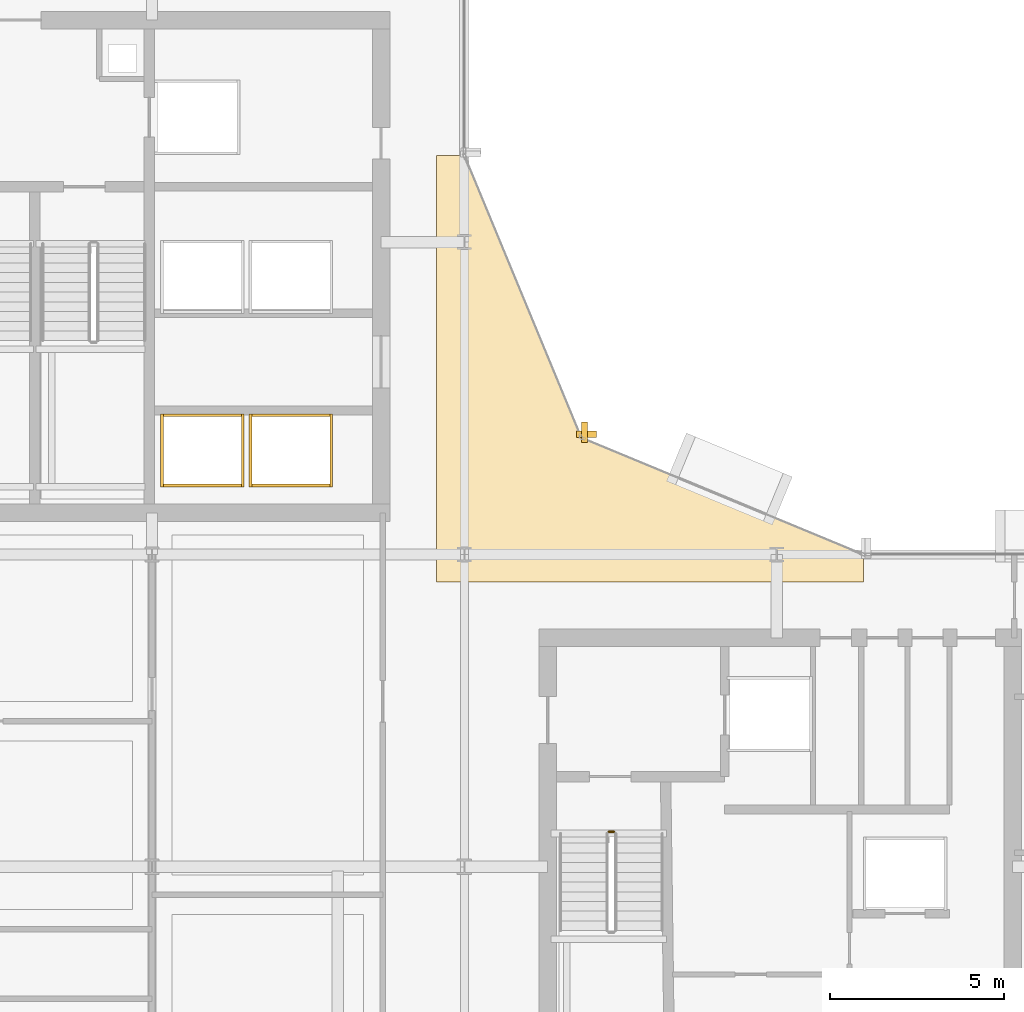
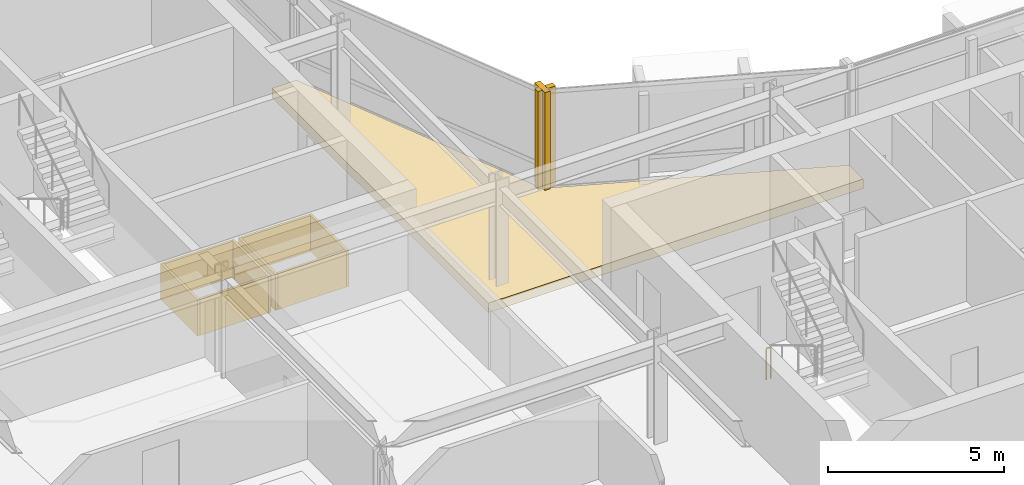
# One storey, part 27 of 29: 11 coverings, 1 railing.
"""IFC4 building model written with IfcOpenShell, lengths in metres."""

from ifc_helpers import new_model, si_unit, direction, frame, origin, origin_2d, place, context, subcontext, project, spatial, polyline, rectangle, circle, outline, extrude, material, layer, layer_set, type_object, element, save


model = new_model("IFC4")

# Units and contexts
model_context = context("Model", 3, precision=1e-05, world=origin(), true_north=direction((0.0, 1.0)))
body_context = subcontext(model_context, "Body", "Model", "MODEL_VIEW")
ifc_project = project(units=[si_unit("LENGTHUNIT", "METRE"), si_unit("AREAUNIT", "SQUARE_METRE"), si_unit("VOLUMEUNIT", "CUBIC_METRE"), si_unit("PLANEANGLEUNIT", "RADIAN"), si_unit("MASSUNIT", "GRAM", prefix="KILO")], contexts=[model_context])

# Site, building, storey
site_placement = place(None, origin())
site = spatial("IfcSite", under=ifc_project, at=site_placement, CompositionType="ELEMENT")
building_placement = place(site_placement, origin())
building = spatial("IfcBuilding", under=site, at=building_placement, Name="Solvaryn Broadcast Tower", CompositionType="ELEMENT")
storey_placement = place(building_placement, frame((0.0, 0.0, 147.0)))
storey = spatial("IfcBuildingStorey", under=building, at=storey_placement, Name="L36", CompositionType="ELEMENT", Elevation=147.0)

# Coverings
ifc_material_1 = material(Name="Fire-Rated Gypsum Shaftwall Liner", Category="concrete")
ifc_layer_1 = layer(ifc_material_1, 0.080078125)
ifc_layer_set_1 = layer_set([ifc_layer_1], Name="CV-SHAFT-LINER")
covering_type_1 = type_object("IfcCoveringType", Name="CV-SHAFT-LINER", PredefinedType="CLADDING", material=ifc_layer_set_1)
for number, where, z_axis, x_axis, name in (
    (1, (19.449951171875, 31.014892578125, 0.0), (0.0, 0.0, 1.0), (1.0, 0.0, 0.0), "L36 PH1 Hoistway Shaft Liner North"),
    (2, (19.449951171875, 28.985107421875, 0.0), (0.0, 0.0, 1.0), (1.0, 0.0, 0.0), "L36 PH1 Hoistway Shaft Liner South"),
):
    element("IfcCovering", number, at=place(storey_placement, frame(where, z_axis=z_axis, x_axis=x_axis)), inside=storey, type_object=covering_type_1, Name=name, PredefinedType="CLADDING", context=body_context, shape_type="SweptSolid", body=[
        extrude(rectangle(XDim=2.409912109375, YDim=0.080078125, at=origin_2d()), origin(), (0.0, 0.0, 1.0), 1.25),
    ])
for number, where, z_axis, x_axis, name in (
    (3, (20.614990234375, 30.0, 0.0), (0.0, 0.0, 1.0), (1.0, 0.0, 0.0), "L36 PH1 Hoistway Shaft Liner East"),
    (4, (18.284912109375, 30.0, 0.0), (0.0, 0.0, 1.0), (1.0, 0.0, 0.0), "L36 PH1 Hoistway Shaft Liner West"),
):
    element("IfcCovering", number, at=place(storey_placement, frame(where, z_axis=z_axis, x_axis=x_axis)), inside=storey, type_object=covering_type_1, Name=name, PredefinedType="CLADDING", context=body_context, shape_type="SweptSolid", body=[
        extrude(rectangle(XDim=0.080078125, YDim=2.110107421875, at=origin_2d()), origin(), (0.0, 0.0, 1.0), 1.25),
    ])
for number, where, z_axis, x_axis, name in (
    (5, (22.0, 31.014892578125, 0.0), (0.0, 0.0, 1.0), (1.0, 0.0, 0.0), "L36 PH2 Hoistway Shaft Liner North"),
    (6, (22.0, 28.985107421875, 0.0), (0.0, 0.0, 1.0), (1.0, 0.0, 0.0), "L36 PH2 Hoistway Shaft Liner South"),
):
    element("IfcCovering", number, at=place(storey_placement, frame(where, z_axis=z_axis, x_axis=x_axis)), inside=storey, type_object=covering_type_1, Name=name, PredefinedType="CLADDING", context=body_context, shape_type="SweptSolid", body=[
        extrude(rectangle(XDim=2.409912109375, YDim=0.080078125, at=origin_2d()), origin(), (0.0, 0.0, 1.0), 1.25),
    ])
for number, where, z_axis, x_axis, name in (
    (7, (23.1650390625, 30.0, 0.0), (0.0, 0.0, 1.0), (1.0, 0.0, 0.0), "L36 PH2 Hoistway Shaft Liner East"),
    (8, (20.8349609375, 30.0, 0.0), (0.0, 0.0, 1.0), (1.0, 0.0, 0.0), "L36 PH2 Hoistway Shaft Liner West"),
):
    element("IfcCovering", number, at=place(storey_placement, frame(where, z_axis=z_axis, x_axis=x_axis)), inside=storey, type_object=covering_type_1, Name=name, PredefinedType="CLADDING", context=body_context, shape_type="SweptSolid", body=[
        extrude(rectangle(XDim=0.080078125, YDim=2.110107421875, at=origin_2d()), origin(), (0.0, 0.0, 1.0), 1.25),
    ])
ifc_material_2 = material(Name="Extruded Architectural Terracotta Fin", Category="masonry")
ifc_layer_2 = layer(ifc_material_2, 0.179931640625)
ifc_layer_set_2 = layer_set([ifc_layer_2], Name="CV-TC-FIN")
covering_type_2 = type_object("IfcCoveringType", Name="CV-TC-FIN", PredefinedType="USERDEFINED", material=ifc_layer_set_2)
covering_1_placement = place(storey_placement, frame((30.464599609375, 30.52294921875, 0.0), z_axis=(0.0, 0.0, 1.0), x_axis=(1.0, 0.0, 0.0)))
element("IfcCovering", 9, at=covering_1_placement, inside=storey, type_object=covering_type_2, Name="L36 Terracotta Vertical Fin FIN-L36-CN1-M01", ObjectType="FIN", PredefinedType="USERDEFINED", context=body_context, shape_type="SweptSolid", body=[
    extrude(rectangle(XDim=0.179931640625, YDim=0.580078125, at=origin_2d()), origin(), (0.0, 0.0, 1.0), 3.419921875),
])
covering_2_placement = place(storey_placement, frame((30.52294921875, 30.464599609375, 0.0), z_axis=(0.0, 0.0, 1.0), x_axis=(1.0, 0.0, 0.0)))
element("IfcCovering", 10, at=covering_2_placement, inside=storey, type_object=covering_type_2, Name="L36 Terracotta Vertical Fin FIN-L36-CN2-M00", ObjectType="FIN", PredefinedType="USERDEFINED", context=body_context, shape_type="SweptSolid", body=[
    extrude(rectangle(XDim=0.580078125, YDim=0.179931640625, at=origin_2d()), origin(), (0.0, 0.0, 1.0), 3.419921875),
])
ifc_material_3 = material(Name="Sculpted Architectural Terracotta Wave Fascia", Category="masonry")
ifc_layer_3 = layer(ifc_material_3, 0.340087890625)
ifc_layer_set_3 = layer_set([ifc_layer_3], Name="CV-WAVE-TRAY")
covering_type_3 = type_object("IfcCoveringType", Name="CV-WAVE-TRAY", PredefinedType="CLADDING", material=ifc_layer_set_3)
covering_3_placement = place(storey_placement, frame((0.0, 0.0, -0.300048828125)))
element("IfcCovering", 11, at=covering_3_placement, inside=storey, type_object=covering_type_3, Name="L36 Concave Canyon Floor Apron", PredefinedType="CLADDING", context=body_context, shape_type="SweptSolid", body=[
    extrude(outline(polyline([(26.199951171875, 26.199951171875), (38.5, 26.199951171875), (38.5, 27.0), (30.367919921875, 30.367919921875), (27.0, 38.5), (26.199951171875, 38.5), (26.199951171875, 26.199951171875)])), origin(), (0.0, 0.0, 1.0), 0.330078125),
])

# Railing
ifc_material_4 = material(Name="Painted Steel Stair Well Guard", Category="steel")
railing_type = type_object("IfcRailingType", Name="RL-STAIR-GUARD", PredefinedType="BALUSTRADE", material=ifc_material_4)
railing_placement = place(storey_placement, frame((31.159912109375, 19.010009765625, 0.0)))
element("IfcRailing", 12, at=railing_placement, inside=storey, type_object=railing_type, Name="L36 ST3 stair guard 4", PredefinedType="BALUSTRADE", context=body_context, shape_type="SweptSolid", body=[
    extrude(circle(Radius=0.02392578125, at=origin_2d()), frame((0.0, 0.0, 1.076171875), z_axis=(1.0, 0.0, 0.0), x_axis=(0.0, 1.0, 0.0)), (0.0, 0.0, 1.0), 0.150146484375),
    extrude(circle(Radius=0.02099609375, at=origin_2d()), origin(), (0.0, 0.0, 1.0), 1.052001953125),
    extrude(circle(Radius=0.02099609375, at=origin_2d()), frame((0.150146484375, 0.0, 0.0)), (0.0, 0.0, 1.0), 1.052001953125),
])

save(model, "model.ifc")
